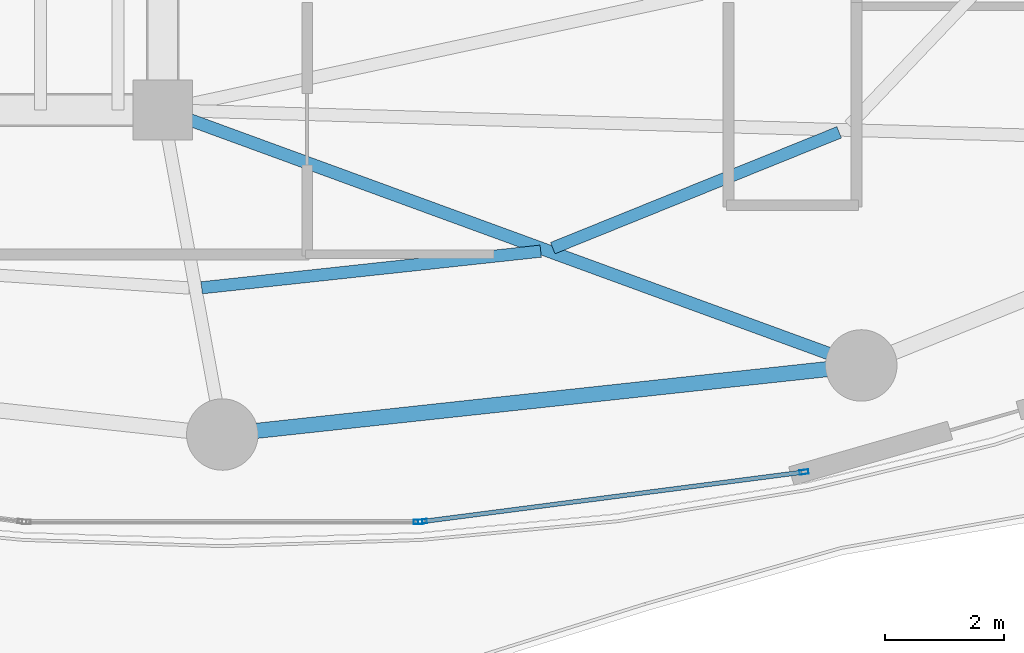
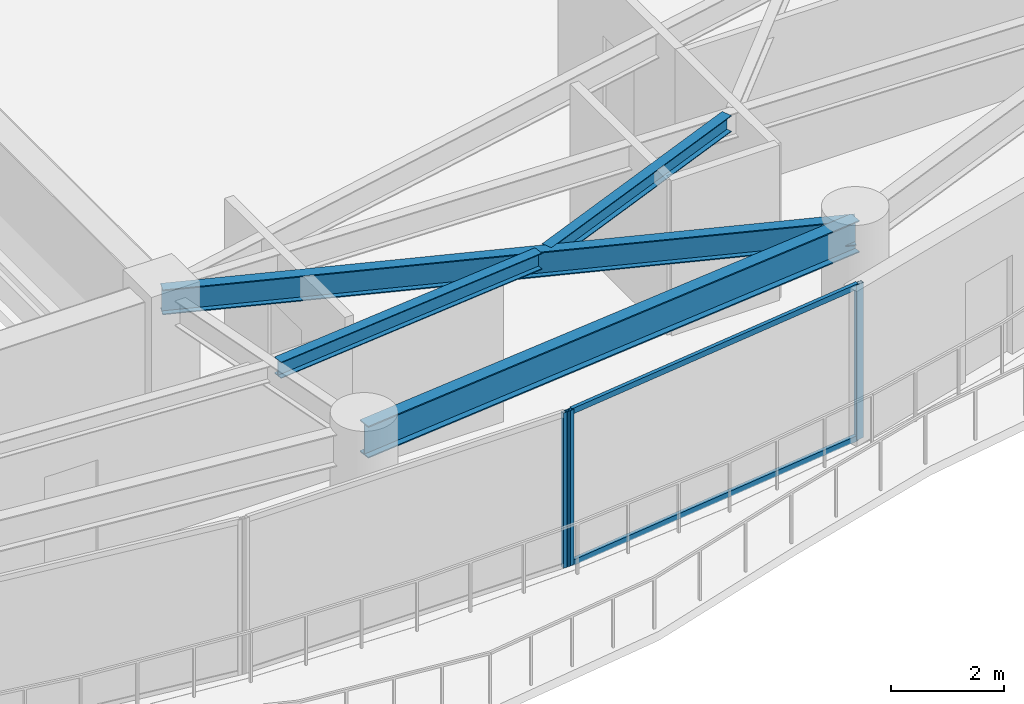
# One storey, part 9 of 30: 5 members, 4 beams, 2 elements without a shape of their own.
"""IFC4 building model written with IfcOpenShell, lengths in metres."""

import ifcopenshell
import ifcopenshell.guid

model = None  # the IFC model being written
_history = None  # IfcOwnerHistory: only IFC2X3 demands one
_inside = {}  # id of a spatial element -> (the spatial element, [elements in it])
_under = {}  # id of a project, library or spatial element -> (it, [spatial elements below it])
_declared = {}  # id of a project -> (the project, [libraries it declares])
_typed = {}  # id of a type object -> (the type object, [elements of that type])
_made_of = {}  # id of a material, layer set ... -> (it, [elements and type objects made of it])


def new_model(schema):
    """Start an empty IFC model of exactly this schema.

    Asked for "IFC4X3", IfcOpenShell would pick the latest addendum, in which some entities
    have other attributes; the version numbers below select the first issue.
    IFC2X3 requires an IfcOwnerHistory on every rooted entity: one is made here for all.
    """
    global model, _history
    if schema == "IFC4X3":
        model = ifcopenshell.file(schema_version=(4, 3, 0, 0))
    else:
        model = ifcopenshell.file(schema=schema)
    _inside.clear()
    _under.clear()
    _declared.clear()
    _typed.clear()
    _made_of.clear()
    _history = None
    if model.schema == "IFC2X3":
        org = make("IfcOrganization", Name="unknown")
        user = make(
            "IfcPersonAndOrganization",
            ThePerson=make("IfcPerson", FamilyName="unknown"),
            TheOrganization=org,
        )
        app = make(
            "IfcApplication",
            ApplicationDeveloper=org,
            Version="unknown",
            ApplicationFullName="unknown",
            ApplicationIdentifier="unknown",
        )
        _history = make(
            "IfcOwnerHistory",
            OwningUser=user,
            OwningApplication=app,
            ChangeAction="ADDED",
            CreationDate=0,
        )
    return model


def make(cls, **values):
    """One entity of the class cls with the attributes given. An attribute that is None is left unset."""
    return model.create_entity(
        cls, **{name: value for name, value in values.items() if value is not None}
    )


def rooted(cls, **values):
    """An entity with a GlobalId (a new one), such as an element, a storey or a relation."""
    return make(cls, GlobalId=ifcopenshell.guid.new(), OwnerHistory=_history, **values)


def si_unit(unit_type, name, prefix=None):
    """IfcSIUnit, for example si_unit("LENGTHUNIT", "METRE", prefix="MILLI")."""
    return make("IfcSIUnit", UnitType=unit_type, Prefix=prefix, Name=name)


def assignment(units):
    """IfcUnitAssignment: the units of a project."""
    return None if units is None else make("IfcUnitAssignment", Units=units)


def point(xyz):
    """IfcCartesianPoint."""
    return None if xyz is None else make("IfcCartesianPoint", Coordinates=xyz)


def direction(xyz):
    """IfcDirection."""
    return None if xyz is None else make("IfcDirection", DirectionRatios=xyz)


def frame(location, z_axis=None, x_axis=None):
    """IfcAxis2Placement3D, a coordinate frame: its origin and axes. An axis left out is left unset."""
    return make(
        "IfcAxis2Placement3D",
        Location=point(location),
        Axis=direction(z_axis),
        RefDirection=direction(x_axis),
    )


def frame_2d(location, x_axis=None):
    """IfcAxis2Placement2D, a coordinate frame in the plane: its origin and x axis."""
    return make(
        "IfcAxis2Placement2D", Location=point(location), RefDirection=direction(x_axis)
    )


def origin():
    """The frame at (0, 0, 0) with its axes left unset."""
    return frame((0.0, 0.0, 0.0))


def origin_2d():
    """The frame at (0, 0) in the plane with its x axis left unset."""
    return frame_2d((0.0, 0.0))


def place(relative_to, where):
    """IfcLocalPlacement: puts the frame where relative to a parent placement (None: the world)."""
    return make(
        "IfcLocalPlacement", PlacementRelTo=relative_to, RelativePlacement=where
    )


def context(
    kind, dimensions, precision=None, world=None, true_north=None, identifier=None
):
    """IfcGeometricRepresentationContext, for example the 3D "Model" context."""
    return make(
        "IfcGeometricRepresentationContext",
        ContextIdentifier=identifier,
        ContextType=kind,
        CoordinateSpaceDimension=dimensions,
        Precision=precision,
        WorldCoordinateSystem=world,
        TrueNorth=true_north,
    )


def subcontext(parent, identifier, kind, view, scale=None):
    """IfcGeometricRepresentationSubContext, for example "Body" below "Model"."""
    return make(
        "IfcGeometricRepresentationSubContext",
        ContextIdentifier=identifier,
        ContextType=kind,
        ParentContext=parent,
        TargetScale=scale,
        TargetView=view,
    )


def project(units=None, contexts=None):
    """IfcProject with its units and contexts."""
    return rooted(
        "IfcProject",
        Name="project",
        RepresentationContexts=contexts,
        UnitsInContext=assignment(units),
    )


def spatial(cls, under=None, at=None, **own):
    """A site, building, storey or space (cls), placed at a placement, below another one or the project."""
    s = rooted(cls, ObjectPlacement=at, **own)
    if under is not None:
        _under.setdefault(under.id(), (under, []))[1].append(s)
    return s


def profile(cls, at=None, kind="AREA", **sizes):
    """A parametric profile (cls). Its sizes go by their IFC names, for example OverallWidth=200.0."""
    return make(cls, ProfileType=kind, Position=at, **sizes)


def hollow_rectangle(**sizes):
    """IfcRectangleHollowProfileDef."""
    return profile("IfcRectangleHollowProfileDef", **sizes)


def i_section(**sizes):
    """IfcIShapeProfileDef."""
    return profile("IfcIShapeProfileDef", **sizes)


def extrude(swept, where, along, depth):
    """IfcExtrudedAreaSolid: the profile swept, set in the frame where, extruded along a direction by depth."""
    return make(
        "IfcExtrudedAreaSolid",
        SweptArea=swept,
        Position=where,
        ExtrudedDirection=direction(along),
        Depth=depth,
    )


def shape(context_of_items, identifier, shape_type, items):
    """IfcShapeRepresentation: the items that make up one representation, for example the "Body"."""
    return make(
        "IfcShapeRepresentation",
        ContextOfItems=context_of_items,
        RepresentationIdentifier=identifier,
        RepresentationType=shape_type,
        Items=items,
    )


def material(Name=None, Category=None):
    """IfcMaterial."""
    return make("IfcMaterial", Name=Name, Category=Category)


def layer(
    of_material, thickness, ventilated=None, Name=None, Category=None, Priority=None
):
    """IfcMaterialLayer: one layer of a wall or slab, of a material (None: an air gap)."""
    return make(
        "IfcMaterialLayer",
        Material=of_material,
        LayerThickness=thickness,
        IsVentilated=ventilated,
        Name=Name,
        Category=Category,
        Priority=Priority,
    )


def layer_set(layers, Name=None):
    """IfcMaterialLayerSet."""
    return make("IfcMaterialLayerSet", MaterialLayers=layers, LayerSetName=Name)


def material_profile(
    of_material, cross_section, Name=None, Category=None, Priority=None
):
    """IfcMaterialProfile: a cross section and its material."""
    return make(
        "IfcMaterialProfile",
        Name=Name,
        Material=of_material,
        Profile=cross_section,
        Priority=Priority,
        Category=Category,
    )


def profile_set(profiles, Name=None, composite=None):
    """IfcMaterialProfileSet."""
    return make(
        "IfcMaterialProfileSet",
        Name=Name,
        MaterialProfiles=profiles,
        CompositeProfile=composite,
    )


def made_of(thing, what):
    """Note that an element or type object is made of a material, layer set ...; save() writes the relation."""
    if what is not None:
        _made_of.setdefault(what.id(), (what, []))[1].append(thing)
    return thing


def type_object(cls, material=None, **own):
    """A type object (cls), such as IfcWallType, which elements share."""
    return made_of(rooted(cls, **own), material)


def element(
    cls,
    number,
    at=None,
    inside=None,
    cuts=None,
    type_object=None,
    material=None,
    context=None,
    identifier="Body",
    shape_type=None,
    held_by="IfcProductDefinitionShape",
    body=None,
    shapes=None,
    **own,
):
    """One element of the class cls, such as IfcWall. Its Tag is "e" and its number.

    at: its placement. inside: the storey or other place that contains it. cuts: it is an
    opening in that element (IfcRelVoidsElement). A single representation is given by context,
    identifier, shape_type and body (its items); several are given by shapes. held_by: the class
    of the entity that holds the representations. save() writes the other relations.
    """
    e = rooted(cls, Tag="e%d" % number, ObjectPlacement=at, **own)
    if body is not None:
        shapes = [shape(context, identifier, shape_type, body)]
    if shapes is not None:
        e.Representation = make(held_by, Representations=shapes)
    if inside is not None:
        _inside.setdefault(inside.id(), (inside, []))[1].append(e)
    if cuts is not None:
        rooted(
            "IfcRelVoidsElement", RelatingBuildingElement=cuts, RelatedOpeningElement=e
        )
    if type_object is not None:
        _typed.setdefault(type_object.id(), (type_object, []))[1].append(e)
    return made_of(e, material)


def aggregate(whole, parts):
    """IfcRelAggregates: a whole, such as a stair, and the parts it consists of."""
    return rooted("IfcRelAggregates", RelatingObject=whole, RelatedObjects=parts)


def save(model, path):
    """Write the relations noted so far, then the file.

    IfcRelAggregates (storeys below a building ...), IfcRelContainedInSpatialStructure (elements
    in a storey), IfcRelDefinesByType, IfcRelAssociatesMaterial and IfcRelDeclares: one each for
    every whole, place, type object, material and project.
    """
    for whole, parts in _under.values():
        aggregate(whole, parts)
    for where, things in _inside.values():
        rooted(
            "IfcRelContainedInSpatialStructure",
            RelatedElements=things,
            RelatingStructure=where,
        )
    for kind, things in _typed.values():
        rooted("IfcRelDefinesByType", RelatedObjects=things, RelatingType=kind)
    for what, things in _made_of.values():
        rooted("IfcRelAssociatesMaterial", RelatedObjects=things, RelatingMaterial=what)
    for by, libraries in _declared.values():
        rooted("IfcRelDeclares", RelatingContext=by, RelatedDefinitions=libraries)
    model.write(path)


model = new_model("IFC4")

# Units and contexts
model_context = context("Model", 3, precision=1e-05, world=origin(), true_north=direction((0.0, 1.0)))
body_context = subcontext(model_context, "Body", "Model", "MODEL_VIEW")
ifc_project = project(units=[si_unit("LENGTHUNIT", "METRE"), si_unit("AREAUNIT", "SQUARE_METRE"), si_unit("VOLUMEUNIT", "CUBIC_METRE"), si_unit("PLANEANGLEUNIT", "RADIAN"), si_unit("MASSUNIT", "GRAM", prefix="KILO")], contexts=[model_context])

# Site, building, storey
site_placement = place(None, origin())
site = spatial("IfcSite", under=ifc_project, at=site_placement, CompositionType="ELEMENT")
building_placement = place(site_placement, origin())
building = spatial("IfcBuilding", under=site, at=building_placement, Name="Kazevale Care Tower and Concert Hall", CompositionType="ELEMENT")
storey_placement = place(building_placement, frame((0.0, 0.0, 131.39990234375)))
storey = spatial("IfcBuildingStorey", under=building, at=storey_placement, Name="L34", CompositionType="ELEMENT", Elevation=131.39990234375)

# Curtain wall, members
ifc_material_1 = material(Name="Aluminium 6063-T6 and Low-E Glass", Category="aluminium")
ifc_layer = layer(ifc_material_1, 0.179931640625)
ifc_layer_set = layer_set([ifc_layer], Name="Aluminium 6063-T6 and Low-E Glass")
curtain_wall_type = type_object("IfcCurtainWallType", Name="Sheltered Concave Balcony Curtain Wall CW-5", PredefinedType="NOTDEFINED", material=ifc_layer_set)
curtain_wall_1_placement = place(storey_placement, origin())
curtain_wall_1 = element("IfcCurtainWall", 1, at=curtain_wall_1_placement, inside=storey, type_object=curtain_wall_type, Name="cw:L34:f05", PredefinedType="NOTDEFINED")
ifc_material_2 = material(Name="Aluminium 6063-T6", Category="aluminium")
ifc_material_profile_1 = material_profile(ifc_material_2, hollow_rectangle(XDim=0.074951171875, YDim=0.14990234375, WallThickness=0.00390625, at=origin_2d()), Name="ALU75x150x4")
ifc_profile_set_1 = profile_set([ifc_material_profile_1], Name="Aluminium 6063-T6")
member_type_1 = type_object("IfcMemberType", Name="CW-5 Mullion ALU75x150x4", PredefinedType="MULLION", material=ifc_profile_set_1)
member_1_placement = place(storey_placement, frame((54.768798828125, 17.520263671875, 0.0), z_axis=(0.0, 0.0, 1.0), x_axis=(0.12868500567, -0.991685519364, 0.0)))
member_1 = element("IfcMember", 2, at=member_1_placement, type_object=member_type_1, Name="CW-5 mullion 1", PredefinedType="MULLION", context=body_context, shape_type="SweptSolid", body=[
    extrude(hollow_rectangle(XDim=0.074951171875, YDim=0.14990234375, WallThickness=0.00390625, at=origin_2d()), origin(), (0.0, 0.0, 1.0), 3.360107421875),
])
member_2_placement = place(storey_placement, frame((48.3623046875, 16.688720703125, 0.0), z_axis=(0.0, 0.0, 1.0), x_axis=(0.12868500567, -0.991685519364, 0.0)))
member_2 = element("IfcMember", 3, at=member_2_placement, type_object=member_type_1, Name="CW-5 mullion 2", PredefinedType="MULLION", context=body_context, shape_type="SweptSolid", body=[
    extrude(hollow_rectangle(XDim=0.074951171875, YDim=0.14990234375, WallThickness=0.00390625, at=origin_2d()), origin(), (0.0, 0.0, 1.0), 3.360107421875),
])

# Curtain wall, member
curtain_wall_2_placement = place(storey_placement, origin())
curtain_wall_2 = element("IfcCurtainWall", 4, at=curtain_wall_2_placement, inside=storey, type_object=curtain_wall_type, Name="cw:L34:f06", PredefinedType="NOTDEFINED")
member_3_placement = place(storey_placement, frame((48.28759765625, 16.68408203125, 0.0), z_axis=(0.0, 0.0, 1.0), x_axis=(0.0, -1.0, 0.0)))
member_3 = element("IfcMember", 5, at=member_3_placement, type_object=member_type_1, Name="CW-5 mullion 1", PredefinedType="MULLION", context=body_context, shape_type="SweptSolid", body=[
    extrude(hollow_rectangle(XDim=0.074951171875, YDim=0.14990234375, WallThickness=0.00390625, at=origin_2d()), origin(), (0.0, 0.0, 1.0), 3.360107421875),
])
aggregate(curtain_wall_2, [member_3])

# Member
ifc_material_profile_2 = material_profile(ifc_material_2, hollow_rectangle(XDim=0.074951171875, YDim=0.1201171875, WallThickness=0.00390625, at=origin_2d()), Name="ALU75x120x4")
ifc_profile_set_2 = profile_set([ifc_material_profile_2], Name="Aluminium 6063-T6")
member_type_2 = type_object("IfcMemberType", Name="CW-5 Transom ALU75x120x4", PredefinedType="USERDEFINED", material=ifc_profile_set_2)
member_4_placement = place(storey_placement, frame((54.731689453125, 17.515380859375, 0.03759765625), z_axis=(-0.991683991743, -0.12869677743, 0.0), x_axis=(0.12869677743, -0.991683991743, 0.0)))
member_4 = element("IfcMember", 6, at=member_4_placement, type_object=member_type_2, Name="CW-5 transom 1.1", ObjectType="TRANSOM", PredefinedType="USERDEFINED", context=body_context, shape_type="SweptSolid", body=[
    extrude(hollow_rectangle(XDim=0.074951171875, YDim=0.1201171875, WallThickness=0.00390625, at=origin_2d()), origin(), (0.0, 0.0, 1.0), 6.385498046875),
])

member_5_placement = place(storey_placement, frame((54.731689453125, 17.515380859375, 3.322509765625), z_axis=(-0.991683991743, -0.12869677743, 0.0), x_axis=(0.12869677743, -0.991683991743, 0.0)))
member_5 = element("IfcMember", 7, at=member_5_placement, type_object=member_type_2, Name="CW-5 transom 1.2", ObjectType="TRANSOM", PredefinedType="USERDEFINED", context=body_context, shape_type="SweptSolid", body=[
    extrude(hollow_rectangle(XDim=0.074951171875, YDim=0.1201171875, WallThickness=0.00390625, at=origin_2d()), origin(), (0.0, 0.0, 1.0), 6.385498046875),
])

aggregate(curtain_wall_1, [member_1, member_2, member_4, member_5])

# Beams
ifc_material_3 = material(Name="Steel ASTM A572 Gr 50", Category="steel")
ifc_material_profile_3 = material_profile(ifc_material_3, i_section(OverallWidth=0.2119140625, OverallDepth=0.5439453125, WebThickness=0.01318359375, FlangeThickness=0.021240234375, at=origin_2d()), Name="W530x123")
ifc_profile_set_3 = profile_set([ifc_material_profile_3], Name="Steel ASTM A572 Gr 50")
beam_type_1 = type_object("IfcBeamType", Name="Radial Floor Girder W530x123", PredefinedType="BEAM", material=ifc_profile_set_3)
beam_1_placement = place(storey_placement, frame((44.0, 23.60009765625, 3.088134765625), z_axis=(0.939159459123, -0.343481455599, 0.0), x_axis=(0.343481455599, 0.939159459123, 0.0)))
element("IfcBeam", 8, at=beam_1_placement, inside=storey, type_object=beam_type_1, Name="beam:L34:rad:14", PredefinedType="BEAM", context=body_context, shape_type="SweptSolid", body=[
    extrude(i_section(OverallWidth=0.2119140625, OverallDepth=0.5439453125, WebThickness=0.01318359375, FlangeThickness=0.021240234375, at=origin_2d()), origin(), (0.0, 0.0, 1.0), 12.489990234375),
])
ifc_material_profile_4 = material_profile(ifc_material_3, i_section(OverallWidth=0.205078125, OverallDepth=0.35400390625, WebThickness=0.009521484375, FlangeThickness=0.016845703125, at=origin_2d()), Name="W360x79")
ifc_profile_set_4 = profile_set([ifc_material_profile_4], Name="Steel ASTM A572 Gr 50")
beam_type_2 = type_object("IfcBeamType", Name="Secondary Floor Joist W360x79", PredefinedType="JOIST", material=ifc_profile_set_4)
beam_2_placement = place(storey_placement, frame((44.654052734375, 20.614013671875, 3.18310546875), z_axis=(0.994215541126, 0.107403248482, 0.0), x_axis=(-0.107403248482, 0.994215541126, 0.0)))
element("IfcBeam", 9, at=beam_2_placement, inside=storey, type_object=beam_type_2, Name="beam:L34:joist:13", PredefinedType="JOIST", context=body_context, shape_type="SweptSolid", body=[
    extrude(i_section(OverallWidth=0.205078125, OverallDepth=0.35400390625, WebThickness=0.009521484375, FlangeThickness=0.016845703125, at=origin_2d()), origin(), (0.0, 0.0, 1.0), 5.72607421875),
])
beam_3_placement = place(storey_placement, frame((50.549072265625, 21.280029296875, 3.18310546875), z_axis=(0.927064833216, 0.374901046964, 0.0), x_axis=(-0.374901046964, 0.927064833216, 0.0)))
element("IfcBeam", 10, at=beam_3_placement, inside=storey, type_object=beam_type_2, Name="beam:L34:joist:14", PredefinedType="JOIST", context=body_context, shape_type="SweptSolid", body=[
    extrude(i_section(OverallWidth=0.205078125, OverallDepth=0.35400390625, WebThickness=0.009521484375, FlangeThickness=0.016845703125, at=origin_2d()), origin(), (0.0, 0.0, 1.0), 5.188232421875),
])
ifc_material_profile_5 = material_profile(ifc_material_3, i_section(OverallWidth=0.256103515625, OverallDepth=0.693115234375, WebThickness=0.014404296875, FlangeThickness=0.023681640625, at=origin_2d()), Name="W690x170")
ifc_profile_set_5 = profile_set([ifc_material_profile_5], Name="Steel ASTM A572 Gr 50")
beam_type_3 = type_object("IfcBeamType", Name="Waist Ring Beam W690x170", PredefinedType="BEAM", material=ifc_profile_set_5)
beam_4_placement = place(storey_placement, frame((45.0, 18.14990234375, 3.013671875), z_axis=(0.994205479487, 0.107496346724, 0.0), x_axis=(-0.107496346724, 0.994205479487, 0.0)))
element("IfcBeam", 11, at=beam_4_placement, inside=storey, type_object=beam_type_3, Name="beam:L34:ring:13", PredefinedType="BEAM", context=body_context, shape_type="SweptSolid", body=[
    extrude(i_section(OverallWidth=0.256103515625, OverallDepth=0.693115234375, WebThickness=0.014404296875, FlangeThickness=0.023681640625, at=origin_2d()), origin(), (0.0, 0.0, 1.0), 10.79248046875),
])

save(model, "model.ifc")
